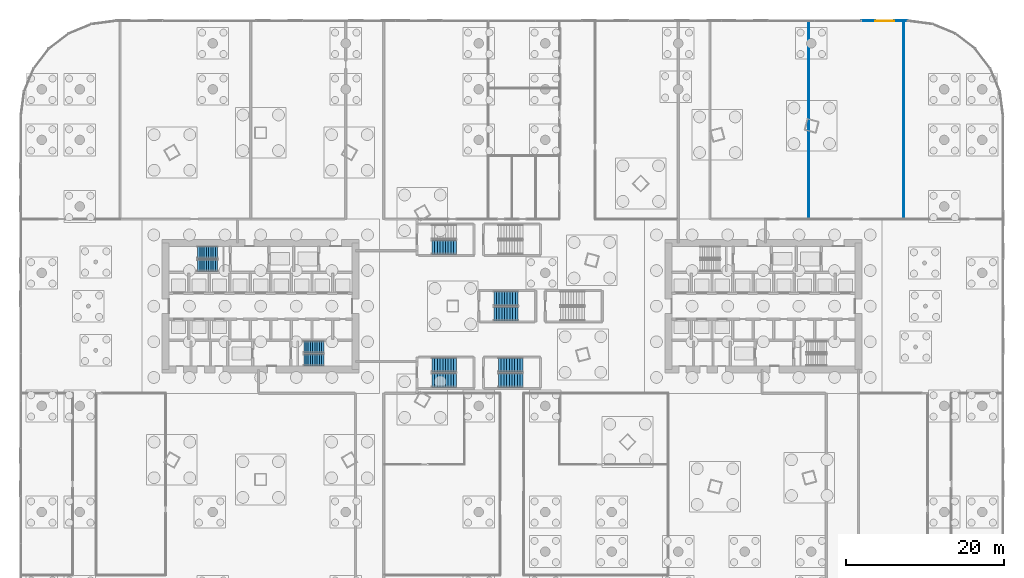
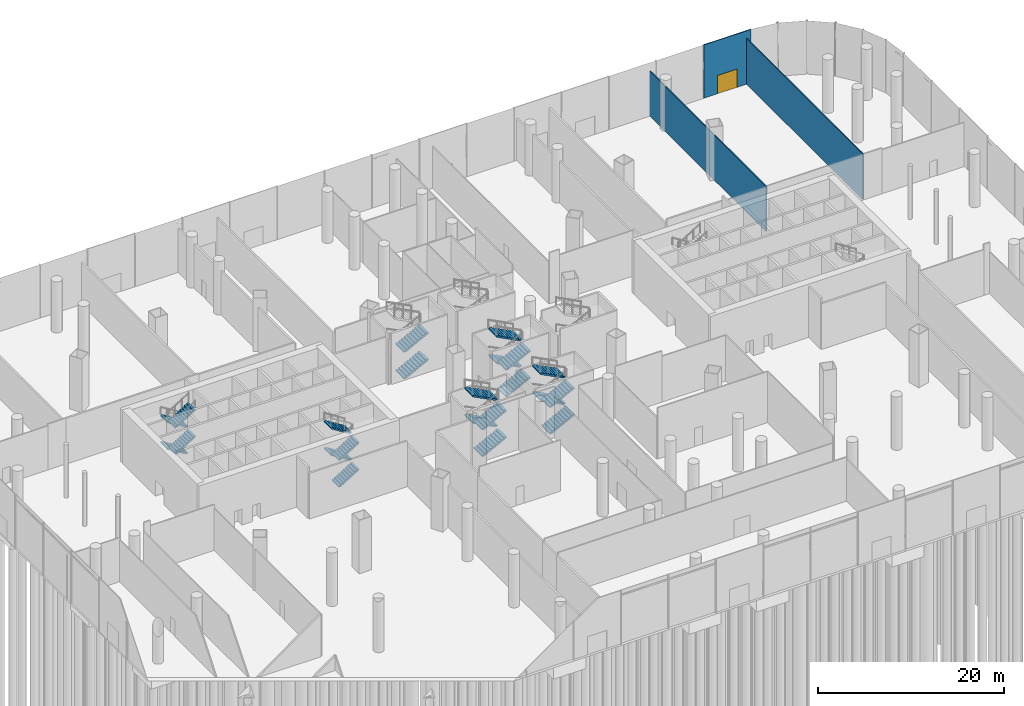
# One storey, part 35 of 41: 22 stair flights, 3 walls, 1 door, 1 opening, 6 elements without a shape of their own.
"""IFC4 building model written with IfcOpenShell, lengths in metres."""

from ifc_helpers import new_model, si_unit, direction, frame, frame_2d, origin, place, context, subcontext, project, spatial, polyline, rectangle, outline, extrude, material, layer, layer_set, type_object, element, fill, aggregate, save


model = new_model("IFC4")

# Units and contexts
model_context = context("Model", 3, precision=1e-05, world=origin(), true_north=direction((0.0, 1.0)))
body_context = subcontext(model_context, "Body", "Model", "MODEL_VIEW")
ifc_project = project(units=[si_unit("LENGTHUNIT", "METRE"), si_unit("AREAUNIT", "SQUARE_METRE"), si_unit("VOLUMEUNIT", "CUBIC_METRE"), si_unit("PLANEANGLEUNIT", "RADIAN"), si_unit("MASSUNIT", "GRAM", prefix="KILO")], contexts=[model_context])

# Site, building, storey
site_placement = place(None, origin())
site = spatial("IfcSite", under=ifc_project, at=site_placement, CompositionType="ELEMENT")
building_placement = place(site_placement, origin())
building = spatial("IfcBuilding", under=site, at=building_placement, Name="Rimbun Link Towers", CompositionType="ELEMENT")
storey_placement = place(building_placement, origin())
storey = spatial("IfcBuildingStorey", under=building, at=storey_placement, Name="L00", CompositionType="ELEMENT", Elevation=0.0)

# Wall, opening, door
ifc_material_1 = material(Name="Aluminium framed insulated infill panel", Category="aluminium")
ifc_layer_1 = layer(ifc_material_1, 0.10009765625)
ifc_layer_set_1 = layer_set([ifc_layer_1], Name="ED framed infill wall 100")
wall_type_1 = type_object("IfcWallType", Name="ED framed infill wall 100", PredefinedType="STANDARD", material=ifc_layer_set_1)
wall_1_placement = place(storey_placement, frame((44.1376953125, 36.050048828125, 0.0), z_axis=(0.0, 0.0, 1.0), x_axis=(1.0, 0.0, 0.0)))
wall_1 = element("IfcWall", 1, at=wall_1_placement, inside=storey, type_object=wall_type_1, Name="Framed door bay wall", PredefinedType="STANDARD", context=body_context, shape_type="SweptSolid", body=[
    extrude(rectangle(XDim=5.84228515625, YDim=0.10009765625, at=frame_2d((2.921142578125, 0.0))), origin(), (0.0, 0.0, 1.0), 7.0),
])
opening_placement = place(wall_1_placement, frame((1.72119140625, 0.0, 0.0)))
opening = element("IfcOpeningElement", 2, at=opening_placement, cuts=wall_1, Name="Opening ED04", PredefinedType="OPENING", context=body_context, shape_type="SweptSolid", body=[
    extrude(rectangle(XDim=2.39990234375, YDim=2.39990234375, at=frame_2d((1.199951171875, 1.199951171875))), frame((0.0, 0.06005859375, 0.0), z_axis=(0.0, -1.0, 0.0), x_axis=(1.0, 0.0, 0.0)), (0.0, 0.0, 1.0), 0.1201171875),
])
ifc_material_2 = material(Name="Aluminium framed glazed door, low-iron glass", Category="aluminium")
door_type = type_object("IfcDoorType", Name="ED entrance door double leaf 2400X2400", OperationType="DOUBLE_DOOR_SINGLE_SWING", PredefinedType="DOOR", material=ifc_material_2)
door_placement = place(opening_placement, origin())
door = element("IfcDoor", 3, at=door_placement, inside=storey, type_object=door_type, Name="Entrance door", OperationType="SINGLE_SWING_LEFT", OverallHeight=2.39990234375, OverallWidth=2.39990234375, PredefinedType="DOOR", context=body_context, shape_type="SweptSolid", body=[
    extrude(rectangle(XDim=2.39990234375, YDim=2.39990234375, at=frame_2d((1.199951171875, 1.199951171875))), frame((0.0, 0.02490234375, 0.0), z_axis=(0.0, -1.0, 0.0), x_axis=(1.0, 0.0, 0.0)), (0.0, 0.0, 1.0), 0.050048828125),
])
fill(opening, door)

# Walls
ifc_material_3 = material(Name="Gypsum board on steel studs", Category="steel")
ifc_layer_2 = layer(ifc_material_3, 0.125)
ifc_layer_set_2 = layer_set([ifc_layer_2], Name="Partition 125 board on studs")
wall_type_2 = type_object("IfcWallType", Name="Partition 125 board on studs", PredefinedType="PARTITIONING", material=ifc_layer_set_2)
wall_2_placement = place(storey_placement, frame((37.5, 11.0625, 0.0), z_axis=(0.0, 0.0, 1.0), x_axis=(0.0, 1.0, 0.0)))
element("IfcWall", 4, at=wall_2_placement, inside=storey, type_object=wall_type_2, Name="PD/PW/L00/124", PredefinedType="PARTITIONING", context=body_context, shape_type="SweptSolid", body=[
    extrude(rectangle(XDim=25.017578125, YDim=0.125, at=frame_2d((12.5087890625, 0.0))), origin(), (0.0, 0.0, 1.0), 5.91796875),
])
wall_3_placement = place(storey_placement, frame((49.5, 11.0625, 0.0), z_axis=(0.0, 0.0, 1.0), x_axis=(0.0, 1.0, 0.0)))
element("IfcWall", 5, at=wall_3_placement, inside=storey, type_object=wall_type_2, Name="PD/PW/L00/125", PredefinedType="PARTITIONING", context=body_context, shape_type="SweptSolid", body=[
    extrude(rectangle(XDim=25.017578125, YDim=0.125, at=frame_2d((12.5087890625, 0.0))), origin(), (0.0, 0.0, 1.0), 5.99609375),
])

# Stair, stair flights
ifc_material_4 = material(Name="Concrete C40/50", Category="concrete")
stair_type_1 = type_object("IfcStairType", Name="Exit stair 7000 rise", PredefinedType="HALF_TURN_STAIR", material=ifc_material_4)
stair_1_placement = place(storey_placement, origin())
stair_1 = element("IfcStair", 6, at=stair_1_placement, inside=storey, type_object=stair_type_1, Name="L00 EXIT STAIR A", PredefinedType="HALF_TURN_STAIR")
ifc_material_5 = material(Name="Concrete C40/50", Category="concrete")
stair_flight_type_1 = type_object("IfcStairFlightType", Name="Exit stair flight 7000 rise", PredefinedType="STRAIGHT", material=ifc_material_5)
stair_flight_1_placement = place(storey_placement, frame((-37.199951171875, 6.800048828125, 0.0), z_axis=(0.0, 0.0, 1.0), x_axis=(-1.0, 0.0, 0.0)))
stair_flight_1 = element("IfcStairFlight", 7, at=stair_flight_1_placement, type_object=stair_flight_type_1, Name="ST1 flight 1", NumberOfRisers=10, NumberOfTreads=9, PredefinedType="STRAIGHT", RiserHeight=0.175, TreadLength=0.28, context=body_context, shape_type="SweptSolid", body=[
    extrude(outline(polyline([(0.0, 0.0), (0.0, 0.175048828125), (0.280029296875, 0.175048828125), (0.280029296875, 0.35009765625), (0.56005859375, 0.35009765625), (0.56005859375, 0.52490234375), (0.840087890625, 0.52490234375), (0.840087890625, 0.699951171875), (1.1201171875, 0.699951171875), (1.1201171875, 0.875), (1.39990234375, 0.875), (1.39990234375, 1.050048828125), (1.679931640625, 1.050048828125), (1.679931640625, 1.22509765625), (1.9599609375, 1.22509765625), (1.9599609375, 1.39990234375), (2.239990234375, 1.39990234375), (2.239990234375, 1.574951171875), (2.52001953125, 1.574951171875), (2.52001953125, 1.75), (2.52001953125, 1.398193359375), (0.280029296875, 0.0), (0.0, 0.0)])), frame((0.0, 0.75, 0.0), z_axis=(0.0, -1.0, 0.0), x_axis=(1.0, 0.0, 0.0)), (0.0, 0.0, 1.0), 1.5),
])
stair_flight_2_placement = place(storey_placement, frame((-39.719970703125, 5.14990234375, 1.75), z_axis=(0.0, 0.0, 1.0), x_axis=(1.0, 0.0, 0.0)))
stair_flight_2 = element("IfcStairFlight", 8, at=stair_flight_2_placement, type_object=stair_flight_type_1, Name="ST1 flight 2", NumberOfRisers=10, NumberOfTreads=9, PredefinedType="STRAIGHT", RiserHeight=0.175, TreadLength=0.28, context=body_context, shape_type="SweptSolid", body=[
    extrude(outline(polyline([(0.0, 0.0), (0.0, 0.175048828125), (0.280029296875, 0.175048828125), (0.280029296875, 0.35009765625), (0.56005859375, 0.35009765625), (0.56005859375, 0.52490234375), (0.840087890625, 0.52490234375), (0.840087890625, 0.699951171875), (1.1201171875, 0.699951171875), (1.1201171875, 0.875), (1.39990234375, 0.875), (1.39990234375, 1.050048828125), (1.679931640625, 1.050048828125), (1.679931640625, 1.22509765625), (1.9599609375, 1.22509765625), (1.9599609375, 1.39990234375), (2.239990234375, 1.39990234375), (2.239990234375, 1.574951171875), (2.52001953125, 1.574951171875), (2.52001953125, 1.75), (2.52001953125, 1.398193359375), (0.280029296875, 0.0), (0.0, 0.0)])), frame((0.0, 0.75, 0.0), z_axis=(0.0, -1.0, 0.0), x_axis=(1.0, 0.0, 0.0)), (0.0, 0.0, 1.0), 1.5),
])
stair_flight_3_placement = place(storey_placement, frame((-37.199951171875, 6.800048828125, 3.5), z_axis=(0.0, 0.0, 1.0), x_axis=(-1.0, 0.0, 0.0)))
stair_flight_3 = element("IfcStairFlight", 9, at=stair_flight_3_placement, type_object=stair_flight_type_1, Name="ST1 flight 3", NumberOfRisers=10, NumberOfTreads=9, PredefinedType="STRAIGHT", RiserHeight=0.175, TreadLength=0.28, context=body_context, shape_type="SweptSolid", body=[
    extrude(outline(polyline([(0.0, 0.0), (0.0, 0.175048828125), (0.280029296875, 0.175048828125), (0.280029296875, 0.35009765625), (0.56005859375, 0.35009765625), (0.56005859375, 0.52490234375), (0.840087890625, 0.52490234375), (0.840087890625, 0.699951171875), (1.1201171875, 0.699951171875), (1.1201171875, 0.875), (1.39990234375, 0.875), (1.39990234375, 1.050048828125), (1.679931640625, 1.050048828125), (1.679931640625, 1.22509765625), (1.9599609375, 1.22509765625), (1.9599609375, 1.39990234375), (2.239990234375, 1.39990234375), (2.239990234375, 1.574951171875), (2.52001953125, 1.574951171875), (2.52001953125, 1.75), (2.52001953125, 1.398193359375), (0.280029296875, 0.0), (0.0, 0.0)])), frame((0.0, 0.75, 0.0), z_axis=(0.0, -1.0, 0.0), x_axis=(1.0, 0.0, 0.0)), (0.0, 0.0, 1.0), 1.5),
])
stair_flight_4_placement = place(storey_placement, frame((-39.719970703125, 5.14990234375, 5.25), z_axis=(0.0, 0.0, 1.0), x_axis=(1.0, 0.0, 0.0)))
stair_flight_4 = element("IfcStairFlight", 10, at=stair_flight_4_placement, type_object=stair_flight_type_1, Name="ST1 flight 4", NumberOfRisers=10, NumberOfTreads=9, PredefinedType="STRAIGHT", RiserHeight=0.175, TreadLength=0.28, context=body_context, shape_type="SweptSolid", body=[
    extrude(outline(polyline([(0.0, 0.0), (0.0, 0.175048828125), (0.280029296875, 0.175048828125), (0.280029296875, 0.35009765625), (0.56005859375, 0.35009765625), (0.56005859375, 0.52490234375), (0.840087890625, 0.52490234375), (0.840087890625, 0.699951171875), (1.1201171875, 0.699951171875), (1.1201171875, 0.875), (1.39990234375, 0.875), (1.39990234375, 1.050048828125), (1.679931640625, 1.050048828125), (1.679931640625, 1.22509765625), (1.9599609375, 1.22509765625), (1.9599609375, 1.39990234375), (2.239990234375, 1.39990234375), (2.239990234375, 1.574951171875), (2.52001953125, 1.574951171875), (2.52001953125, 1.75), (2.52001953125, 1.398193359375), (0.280029296875, 0.0), (0.0, 0.0)])), frame((0.0, 0.75, 0.0), z_axis=(0.0, -1.0, 0.0), x_axis=(1.0, 0.0, 0.0)), (0.0, 0.0, 1.0), 1.5),
])
aggregate(stair_1, [stair_flight_1, stair_flight_2, stair_flight_3, stair_flight_4])

stair_2_placement = place(storey_placement, origin())
stair_2 = element("IfcStair", 11, at=stair_2_placement, inside=storey, type_object=stair_type_1, Name="L00 EXIT STAIR B", PredefinedType="HALF_TURN_STAIR")
stair_flight_5_placement = place(storey_placement, frame((-26.300048828125, -6.800048828125, 0.0), z_axis=(0.0, 0.0, 1.0), x_axis=(1.0, 0.0, 0.0)))
stair_flight_5 = element("IfcStairFlight", 12, at=stair_flight_5_placement, type_object=stair_flight_type_1, Name="ST2 flight 1", NumberOfRisers=10, NumberOfTreads=9, PredefinedType="STRAIGHT", RiserHeight=0.175, TreadLength=0.28, context=body_context, shape_type="SweptSolid", body=[
    extrude(outline(polyline([(0.0, 0.0), (0.0, 0.175048828125), (0.280029296875, 0.175048828125), (0.280029296875, 0.35009765625), (0.56005859375, 0.35009765625), (0.56005859375, 0.52490234375), (0.840087890625, 0.52490234375), (0.840087890625, 0.699951171875), (1.1201171875, 0.699951171875), (1.1201171875, 0.875), (1.39990234375, 0.875), (1.39990234375, 1.050048828125), (1.679931640625, 1.050048828125), (1.679931640625, 1.22509765625), (1.9599609375, 1.22509765625), (1.9599609375, 1.39990234375), (2.239990234375, 1.39990234375), (2.239990234375, 1.574951171875), (2.52001953125, 1.574951171875), (2.52001953125, 1.75), (2.52001953125, 1.398193359375), (0.280029296875, 0.0), (0.0, 0.0)])), frame((0.0, 0.75, 0.0), z_axis=(0.0, -1.0, 0.0), x_axis=(1.0, 0.0, 0.0)), (0.0, 0.0, 1.0), 1.5),
])
stair_flight_6_placement = place(storey_placement, frame((-23.780029296875, -5.14990234375, 1.75), z_axis=(0.0, 0.0, 1.0), x_axis=(-1.0, 0.0, 0.0)))
stair_flight_6 = element("IfcStairFlight", 13, at=stair_flight_6_placement, type_object=stair_flight_type_1, Name="ST2 flight 2", NumberOfRisers=10, NumberOfTreads=9, PredefinedType="STRAIGHT", RiserHeight=0.175, TreadLength=0.28, context=body_context, shape_type="SweptSolid", body=[
    extrude(outline(polyline([(0.0, 0.0), (0.0, 0.175048828125), (0.280029296875, 0.175048828125), (0.280029296875, 0.35009765625), (0.56005859375, 0.35009765625), (0.56005859375, 0.52490234375), (0.840087890625, 0.52490234375), (0.840087890625, 0.699951171875), (1.1201171875, 0.699951171875), (1.1201171875, 0.875), (1.39990234375, 0.875), (1.39990234375, 1.050048828125), (1.679931640625, 1.050048828125), (1.679931640625, 1.22509765625), (1.9599609375, 1.22509765625), (1.9599609375, 1.39990234375), (2.239990234375, 1.39990234375), (2.239990234375, 1.574951171875), (2.52001953125, 1.574951171875), (2.52001953125, 1.75), (2.52001953125, 1.398193359375), (0.280029296875, 0.0), (0.0, 0.0)])), frame((0.0, 0.75, 0.0), z_axis=(0.0, -1.0, 0.0), x_axis=(1.0, 0.0, 0.0)), (0.0, 0.0, 1.0), 1.5),
])
stair_flight_7_placement = place(storey_placement, frame((-26.300048828125, -6.800048828125, 3.5), z_axis=(0.0, 0.0, 1.0), x_axis=(1.0, 0.0, 0.0)))
stair_flight_7 = element("IfcStairFlight", 14, at=stair_flight_7_placement, type_object=stair_flight_type_1, Name="ST2 flight 3", NumberOfRisers=10, NumberOfTreads=9, PredefinedType="STRAIGHT", RiserHeight=0.175, TreadLength=0.28, context=body_context, shape_type="SweptSolid", body=[
    extrude(outline(polyline([(0.0, 0.0), (0.0, 0.175048828125), (0.280029296875, 0.175048828125), (0.280029296875, 0.35009765625), (0.56005859375, 0.35009765625), (0.56005859375, 0.52490234375), (0.840087890625, 0.52490234375), (0.840087890625, 0.699951171875), (1.1201171875, 0.699951171875), (1.1201171875, 0.875), (1.39990234375, 0.875), (1.39990234375, 1.050048828125), (1.679931640625, 1.050048828125), (1.679931640625, 1.22509765625), (1.9599609375, 1.22509765625), (1.9599609375, 1.39990234375), (2.239990234375, 1.39990234375), (2.239990234375, 1.574951171875), (2.52001953125, 1.574951171875), (2.52001953125, 1.75), (2.52001953125, 1.398193359375), (0.280029296875, 0.0), (0.0, 0.0)])), frame((0.0, 0.75, 0.0), z_axis=(0.0, -1.0, 0.0), x_axis=(1.0, 0.0, 0.0)), (0.0, 0.0, 1.0), 1.5),
])
stair_flight_8_placement = place(storey_placement, frame((-23.780029296875, -5.14990234375, 5.25), z_axis=(0.0, 0.0, 1.0), x_axis=(-1.0, 0.0, 0.0)))
stair_flight_8 = element("IfcStairFlight", 15, at=stair_flight_8_placement, type_object=stair_flight_type_1, Name="ST2 flight 4", NumberOfRisers=10, NumberOfTreads=9, PredefinedType="STRAIGHT", RiserHeight=0.175, TreadLength=0.28, context=body_context, shape_type="SweptSolid", body=[
    extrude(outline(polyline([(0.0, 0.0), (0.0, 0.175048828125), (0.280029296875, 0.175048828125), (0.280029296875, 0.35009765625), (0.56005859375, 0.35009765625), (0.56005859375, 0.52490234375), (0.840087890625, 0.52490234375), (0.840087890625, 0.699951171875), (1.1201171875, 0.699951171875), (1.1201171875, 0.875), (1.39990234375, 0.875), (1.39990234375, 1.050048828125), (1.679931640625, 1.050048828125), (1.679931640625, 1.22509765625), (1.9599609375, 1.22509765625), (1.9599609375, 1.39990234375), (2.239990234375, 1.39990234375), (2.239990234375, 1.574951171875), (2.52001953125, 1.574951171875), (2.52001953125, 1.75), (2.52001953125, 1.398193359375), (0.280029296875, 0.0), (0.0, 0.0)])), frame((0.0, 0.75, 0.0), z_axis=(0.0, -1.0, 0.0), x_axis=(1.0, 0.0, 0.0)), (0.0, 0.0, 1.0), 1.5),
])
aggregate(stair_2, [stair_flight_5, stair_flight_6, stair_flight_7, stair_flight_8])

ifc_material_6 = material(Name="Concrete C40/50", Category="concrete")
stair_type_2 = type_object("IfcStairType", Name="Podium exit stair 1800", PredefinedType="HALF_TURN_STAIR", material=ifc_material_6)
stair_3_placement = place(storey_placement, origin())
stair_3 = element("IfcStair", 16, at=stair_3_placement, inside=storey, type_object=stair_type_2, Name="L00 PODIUM EXIT STAIR", PredefinedType="HALF_TURN_STAIR")
ifc_material_7 = material(Name="Concrete C40/50", Category="concrete")
stair_flight_type_2 = type_object("IfcStairFlightType", Name="Podium exit stair flight 1800", PredefinedType="STRAIGHT", material=ifc_material_7)
stair_flight_9_placement = place(storey_placement, frame((-10.10009765625, -9.375, 0.0), z_axis=(0.0, 0.0, 1.0), x_axis=(1.0, 0.0, 0.0)))
stair_flight_9 = element("IfcStairFlight", 17, at=stair_flight_9_placement, type_object=stair_flight_type_2, Name="PS1 flight 1", NumberOfRisers=10, NumberOfTreads=9, PredefinedType="STRAIGHT", RiserHeight=0.175, TreadLength=0.34, context=body_context, shape_type="SweptSolid", body=[
    extrude(outline(polyline([(0.0, 0.0), (0.0, 0.175048828125), (0.340087890625, 0.175048828125), (0.340087890625, 0.35009765625), (0.679931640625, 0.35009765625), (0.679931640625, 0.52490234375), (1.02001953125, 0.52490234375), (1.02001953125, 0.699951171875), (1.360107421875, 0.699951171875), (1.360107421875, 0.875), (1.699951171875, 0.875), (1.699951171875, 1.050048828125), (2.0400390625, 1.050048828125), (2.0400390625, 1.22509765625), (2.3798828125, 1.22509765625), (2.3798828125, 1.39990234375), (2.719970703125, 1.39990234375), (2.719970703125, 1.574951171875), (3.06005859375, 1.574951171875), (3.06005859375, 1.75), (3.06005859375, 1.406494140625), (0.340087890625, 0.0), (0.0, 0.0)])), frame((0.0, 0.89990234375, 0.0), z_axis=(0.0, -1.0, 0.0), x_axis=(1.0, 0.0, 0.0)), (0.0, 0.0, 1.0), 1.800048828125),
])
stair_flight_10_placement = place(storey_placement, frame((-7.0400390625, -7.425048828125, 1.75), z_axis=(0.0, 0.0, 1.0), x_axis=(-1.0, 0.0, 0.0)))
stair_flight_10 = element("IfcStairFlight", 18, at=stair_flight_10_placement, type_object=stair_flight_type_2, Name="PS1 flight 2", NumberOfRisers=10, NumberOfTreads=9, PredefinedType="STRAIGHT", RiserHeight=0.175, TreadLength=0.34, context=body_context, shape_type="SweptSolid", body=[
    extrude(outline(polyline([(0.0, 0.0), (0.0, 0.175048828125), (0.340087890625, 0.175048828125), (0.340087890625, 0.35009765625), (0.679931640625, 0.35009765625), (0.679931640625, 0.52490234375), (1.02001953125, 0.52490234375), (1.02001953125, 0.699951171875), (1.360107421875, 0.699951171875), (1.360107421875, 0.875), (1.699951171875, 0.875), (1.699951171875, 1.050048828125), (2.0400390625, 1.050048828125), (2.0400390625, 1.22509765625), (2.3798828125, 1.22509765625), (2.3798828125, 1.39990234375), (2.719970703125, 1.39990234375), (2.719970703125, 1.574951171875), (3.06005859375, 1.574951171875), (3.06005859375, 1.75), (3.06005859375, 1.406494140625), (0.340087890625, 0.0), (0.0, 0.0)])), frame((0.0, 0.89990234375, 0.0), z_axis=(0.0, -1.0, 0.0), x_axis=(1.0, 0.0, 0.0)), (0.0, 0.0, 1.0), 1.800048828125),
])
stair_flight_11_placement = place(storey_placement, frame((-10.10009765625, -9.375, 3.5), z_axis=(0.0, 0.0, 1.0), x_axis=(1.0, 0.0, 0.0)))
stair_flight_11 = element("IfcStairFlight", 19, at=stair_flight_11_placement, type_object=stair_flight_type_2, Name="PS1 flight 3", NumberOfRisers=10, NumberOfTreads=9, PredefinedType="STRAIGHT", RiserHeight=0.175, TreadLength=0.34, context=body_context, shape_type="SweptSolid", body=[
    extrude(outline(polyline([(0.0, 0.0), (0.0, 0.175048828125), (0.340087890625, 0.175048828125), (0.340087890625, 0.35009765625), (0.679931640625, 0.35009765625), (0.679931640625, 0.52490234375), (1.02001953125, 0.52490234375), (1.02001953125, 0.699951171875), (1.360107421875, 0.699951171875), (1.360107421875, 0.875), (1.699951171875, 0.875), (1.699951171875, 1.050048828125), (2.0400390625, 1.050048828125), (2.0400390625, 1.22509765625), (2.3798828125, 1.22509765625), (2.3798828125, 1.39990234375), (2.719970703125, 1.39990234375), (2.719970703125, 1.574951171875), (3.06005859375, 1.574951171875), (3.06005859375, 1.75), (3.06005859375, 1.406494140625), (0.340087890625, 0.0), (0.0, 0.0)])), frame((0.0, 0.89990234375, 0.0), z_axis=(0.0, -1.0, 0.0), x_axis=(1.0, 0.0, 0.0)), (0.0, 0.0, 1.0), 1.800048828125),
])
stair_flight_12_placement = place(storey_placement, frame((-7.0400390625, -7.425048828125, 5.25), z_axis=(0.0, 0.0, 1.0), x_axis=(-1.0, 0.0, 0.0)))
stair_flight_12 = element("IfcStairFlight", 20, at=stair_flight_12_placement, type_object=stair_flight_type_2, Name="PS1 flight 4", NumberOfRisers=10, NumberOfTreads=9, PredefinedType="STRAIGHT", RiserHeight=0.175, TreadLength=0.34, context=body_context, shape_type="SweptSolid", body=[
    extrude(outline(polyline([(0.0, 0.0), (0.0, 0.175048828125), (0.340087890625, 0.175048828125), (0.340087890625, 0.35009765625), (0.679931640625, 0.35009765625), (0.679931640625, 0.52490234375), (1.02001953125, 0.52490234375), (1.02001953125, 0.699951171875), (1.360107421875, 0.699951171875), (1.360107421875, 0.875), (1.699951171875, 0.875), (1.699951171875, 1.050048828125), (2.0400390625, 1.050048828125), (2.0400390625, 1.22509765625), (2.3798828125, 1.22509765625), (2.3798828125, 1.39990234375), (2.719970703125, 1.39990234375), (2.719970703125, 1.574951171875), (3.06005859375, 1.574951171875), (3.06005859375, 1.75), (3.06005859375, 1.406494140625), (0.340087890625, 0.0), (0.0, 0.0)])), frame((0.0, 0.89990234375, 0.0), z_axis=(0.0, -1.0, 0.0), x_axis=(1.0, 0.0, 0.0)), (0.0, 0.0, 1.0), 1.800048828125),
])
aggregate(stair_3, [stair_flight_9, stair_flight_10, stair_flight_11, stair_flight_12])

stair_4_placement = place(storey_placement, origin())
stair_4 = element("IfcStair", 21, at=stair_4_placement, inside=storey, type_object=stair_type_2, Name="L00 PODIUM EXIT STAIR", PredefinedType="HALF_TURN_STAIR")
stair_flight_13_placement = place(storey_placement, frame((-1.699951171875, -9.375, 0.0), z_axis=(0.0, 0.0, 1.0), x_axis=(1.0, 0.0, 0.0)))
stair_flight_13 = element("IfcStairFlight", 22, at=stair_flight_13_placement, type_object=stair_flight_type_2, Name="PS2 flight 1", NumberOfRisers=10, NumberOfTreads=9, PredefinedType="STRAIGHT", RiserHeight=0.175, TreadLength=0.34, context=body_context, shape_type="SweptSolid", body=[
    extrude(outline(polyline([(0.0, 0.0), (0.0, 0.175048828125), (0.340087890625, 0.175048828125), (0.340087890625, 0.35009765625), (0.679931640625, 0.35009765625), (0.679931640625, 0.52490234375), (1.02001953125, 0.52490234375), (1.02001953125, 0.699951171875), (1.360107421875, 0.699951171875), (1.360107421875, 0.875), (1.699951171875, 0.875), (1.699951171875, 1.050048828125), (2.0400390625, 1.050048828125), (2.0400390625, 1.22509765625), (2.3798828125, 1.22509765625), (2.3798828125, 1.39990234375), (2.719970703125, 1.39990234375), (2.719970703125, 1.574951171875), (3.06005859375, 1.574951171875), (3.06005859375, 1.75), (3.06005859375, 1.406494140625), (0.340087890625, 0.0), (0.0, 0.0)])), frame((0.0, 0.89990234375, 0.0), z_axis=(0.0, -1.0, 0.0), x_axis=(1.0, 0.0, 0.0)), (0.0, 0.0, 1.0), 1.800048828125),
])
stair_flight_14_placement = place(storey_placement, frame((1.360107421875, -7.425048828125, 1.75), z_axis=(0.0, 0.0, 1.0), x_axis=(-1.0, 0.0, 0.0)))
stair_flight_14 = element("IfcStairFlight", 23, at=stair_flight_14_placement, type_object=stair_flight_type_2, Name="PS2 flight 2", NumberOfRisers=10, NumberOfTreads=9, PredefinedType="STRAIGHT", RiserHeight=0.175, TreadLength=0.34, context=body_context, shape_type="SweptSolid", body=[
    extrude(outline(polyline([(0.0, 0.0), (0.0, 0.175048828125), (0.340087890625, 0.175048828125), (0.340087890625, 0.35009765625), (0.679931640625, 0.35009765625), (0.679931640625, 0.52490234375), (1.02001953125, 0.52490234375), (1.02001953125, 0.699951171875), (1.360107421875, 0.699951171875), (1.360107421875, 0.875), (1.699951171875, 0.875), (1.699951171875, 1.050048828125), (2.0400390625, 1.050048828125), (2.0400390625, 1.22509765625), (2.3798828125, 1.22509765625), (2.3798828125, 1.39990234375), (2.719970703125, 1.39990234375), (2.719970703125, 1.574951171875), (3.06005859375, 1.574951171875), (3.06005859375, 1.75), (3.06005859375, 1.406494140625), (0.340087890625, 0.0), (0.0, 0.0)])), frame((0.0, 0.89990234375, 0.0), z_axis=(0.0, -1.0, 0.0), x_axis=(1.0, 0.0, 0.0)), (0.0, 0.0, 1.0), 1.800048828125),
])
stair_flight_15_placement = place(storey_placement, frame((-1.699951171875, -9.375, 3.5), z_axis=(0.0, 0.0, 1.0), x_axis=(1.0, 0.0, 0.0)))
stair_flight_15 = element("IfcStairFlight", 24, at=stair_flight_15_placement, type_object=stair_flight_type_2, Name="PS2 flight 3", NumberOfRisers=10, NumberOfTreads=9, PredefinedType="STRAIGHT", RiserHeight=0.175, TreadLength=0.34, context=body_context, shape_type="SweptSolid", body=[
    extrude(outline(polyline([(0.0, 0.0), (0.0, 0.175048828125), (0.340087890625, 0.175048828125), (0.340087890625, 0.35009765625), (0.679931640625, 0.35009765625), (0.679931640625, 0.52490234375), (1.02001953125, 0.52490234375), (1.02001953125, 0.699951171875), (1.360107421875, 0.699951171875), (1.360107421875, 0.875), (1.699951171875, 0.875), (1.699951171875, 1.050048828125), (2.0400390625, 1.050048828125), (2.0400390625, 1.22509765625), (2.3798828125, 1.22509765625), (2.3798828125, 1.39990234375), (2.719970703125, 1.39990234375), (2.719970703125, 1.574951171875), (3.06005859375, 1.574951171875), (3.06005859375, 1.75), (3.06005859375, 1.406494140625), (0.340087890625, 0.0), (0.0, 0.0)])), frame((0.0, 0.89990234375, 0.0), z_axis=(0.0, -1.0, 0.0), x_axis=(1.0, 0.0, 0.0)), (0.0, 0.0, 1.0), 1.800048828125),
])
stair_flight_16_placement = place(storey_placement, frame((1.360107421875, -7.425048828125, 5.25), z_axis=(0.0, 0.0, 1.0), x_axis=(-1.0, 0.0, 0.0)))
stair_flight_16 = element("IfcStairFlight", 25, at=stair_flight_16_placement, type_object=stair_flight_type_2, Name="PS2 flight 4", NumberOfRisers=10, NumberOfTreads=9, PredefinedType="STRAIGHT", RiserHeight=0.175, TreadLength=0.34, context=body_context, shape_type="SweptSolid", body=[
    extrude(outline(polyline([(0.0, 0.0), (0.0, 0.175048828125), (0.340087890625, 0.175048828125), (0.340087890625, 0.35009765625), (0.679931640625, 0.35009765625), (0.679931640625, 0.52490234375), (1.02001953125, 0.52490234375), (1.02001953125, 0.699951171875), (1.360107421875, 0.699951171875), (1.360107421875, 0.875), (1.699951171875, 0.875), (1.699951171875, 1.050048828125), (2.0400390625, 1.050048828125), (2.0400390625, 1.22509765625), (2.3798828125, 1.22509765625), (2.3798828125, 1.39990234375), (2.719970703125, 1.39990234375), (2.719970703125, 1.574951171875), (3.06005859375, 1.574951171875), (3.06005859375, 1.75), (3.06005859375, 1.406494140625), (0.340087890625, 0.0), (0.0, 0.0)])), frame((0.0, 0.89990234375, 0.0), z_axis=(0.0, -1.0, 0.0), x_axis=(1.0, 0.0, 0.0)), (0.0, 0.0, 1.0), 1.800048828125),
])
aggregate(stair_4, [stair_flight_13, stair_flight_14, stair_flight_15, stair_flight_16])

stair_5_placement = place(storey_placement, origin())
stair_5 = element("IfcStair", 26, at=stair_5_placement, inside=storey, type_object=stair_type_2, Name="L00 PODIUM EXIT STAIR", PredefinedType="HALF_TURN_STAIR")
stair_flight_17_placement = place(storey_placement, frame((-10.10009765625, 7.425048828125, 0.0), z_axis=(0.0, 0.0, 1.0), x_axis=(1.0, 0.0, 0.0)))
stair_flight_17 = element("IfcStairFlight", 27, at=stair_flight_17_placement, type_object=stair_flight_type_2, Name="PS3 flight 1", NumberOfRisers=10, NumberOfTreads=9, PredefinedType="STRAIGHT", RiserHeight=0.175, TreadLength=0.34, context=body_context, shape_type="SweptSolid", body=[
    extrude(outline(polyline([(0.0, 0.0), (0.0, 0.175048828125), (0.340087890625, 0.175048828125), (0.340087890625, 0.35009765625), (0.679931640625, 0.35009765625), (0.679931640625, 0.52490234375), (1.02001953125, 0.52490234375), (1.02001953125, 0.699951171875), (1.360107421875, 0.699951171875), (1.360107421875, 0.875), (1.699951171875, 0.875), (1.699951171875, 1.050048828125), (2.0400390625, 1.050048828125), (2.0400390625, 1.22509765625), (2.3798828125, 1.22509765625), (2.3798828125, 1.39990234375), (2.719970703125, 1.39990234375), (2.719970703125, 1.574951171875), (3.06005859375, 1.574951171875), (3.06005859375, 1.75), (3.06005859375, 1.406494140625), (0.340087890625, 0.0), (0.0, 0.0)])), frame((0.0, 0.89990234375, 0.0), z_axis=(0.0, -1.0, 0.0), x_axis=(1.0, 0.0, 0.0)), (0.0, 0.0, 1.0), 1.800048828125),
])
stair_flight_18_placement = place(storey_placement, frame((-10.10009765625, 7.425048828125, 3.5), z_axis=(0.0, 0.0, 1.0), x_axis=(1.0, 0.0, 0.0)))
stair_flight_18 = element("IfcStairFlight", 28, at=stair_flight_18_placement, type_object=stair_flight_type_2, Name="PS3 flight 3", NumberOfRisers=10, NumberOfTreads=9, PredefinedType="STRAIGHT", RiserHeight=0.175, TreadLength=0.34, context=body_context, shape_type="SweptSolid", body=[
    extrude(outline(polyline([(0.0, 0.0), (0.0, 0.175048828125), (0.340087890625, 0.175048828125), (0.340087890625, 0.35009765625), (0.679931640625, 0.35009765625), (0.679931640625, 0.52490234375), (1.02001953125, 0.52490234375), (1.02001953125, 0.699951171875), (1.360107421875, 0.699951171875), (1.360107421875, 0.875), (1.699951171875, 0.875), (1.699951171875, 1.050048828125), (2.0400390625, 1.050048828125), (2.0400390625, 1.22509765625), (2.3798828125, 1.22509765625), (2.3798828125, 1.39990234375), (2.719970703125, 1.39990234375), (2.719970703125, 1.574951171875), (3.06005859375, 1.574951171875), (3.06005859375, 1.75), (3.06005859375, 1.406494140625), (0.340087890625, 0.0), (0.0, 0.0)])), frame((0.0, 0.89990234375, 0.0), z_axis=(0.0, -1.0, 0.0), x_axis=(1.0, 0.0, 0.0)), (0.0, 0.0, 1.0), 1.800048828125),
])
aggregate(stair_5, [stair_flight_17, stair_flight_18])

stair_6_placement = place(storey_placement, origin())
stair_6 = element("IfcStair", 29, at=stair_6_placement, inside=storey, type_object=stair_type_2, Name="L00 PODIUM EXIT STAIR", PredefinedType="HALF_TURN_STAIR")
stair_flight_19_placement = place(storey_placement, frame((-2.300048828125, -0.97509765625, 0.0), z_axis=(0.0, 0.0, 1.0), x_axis=(1.0, 0.0, 0.0)))
stair_flight_19 = element("IfcStairFlight", 30, at=stair_flight_19_placement, type_object=stair_flight_type_2, Name="PS6 flight 1", NumberOfRisers=10, NumberOfTreads=9, PredefinedType="STRAIGHT", RiserHeight=0.175, TreadLength=0.34, context=body_context, shape_type="SweptSolid", body=[
    extrude(outline(polyline([(0.0, 0.0), (0.0, 0.175048828125), (0.340087890625, 0.175048828125), (0.340087890625, 0.35009765625), (0.679931640625, 0.35009765625), (0.679931640625, 0.52490234375), (1.02001953125, 0.52490234375), (1.02001953125, 0.699951171875), (1.360107421875, 0.699951171875), (1.360107421875, 0.875), (1.699951171875, 0.875), (1.699951171875, 1.050048828125), (2.0400390625, 1.050048828125), (2.0400390625, 1.22509765625), (2.3798828125, 1.22509765625), (2.3798828125, 1.39990234375), (2.719970703125, 1.39990234375), (2.719970703125, 1.574951171875), (3.06005859375, 1.574951171875), (3.06005859375, 1.75), (3.06005859375, 1.406494140625), (0.340087890625, 0.0), (0.0, 0.0)])), frame((0.0, 0.89990234375, 0.0), z_axis=(0.0, -1.0, 0.0), x_axis=(1.0, 0.0, 0.0)), (0.0, 0.0, 1.0), 1.800048828125),
])
stair_flight_20_placement = place(storey_placement, frame((0.760009765625, 0.97509765625, 1.75), z_axis=(0.0, 0.0, 1.0), x_axis=(-1.0, 0.0, 0.0)))
stair_flight_20 = element("IfcStairFlight", 31, at=stair_flight_20_placement, type_object=stair_flight_type_2, Name="PS6 flight 2", NumberOfRisers=10, NumberOfTreads=9, PredefinedType="STRAIGHT", RiserHeight=0.175, TreadLength=0.34, context=body_context, shape_type="SweptSolid", body=[
    extrude(outline(polyline([(0.0, 0.0), (0.0, 0.175048828125), (0.340087890625, 0.175048828125), (0.340087890625, 0.35009765625), (0.679931640625, 0.35009765625), (0.679931640625, 0.52490234375), (1.02001953125, 0.52490234375), (1.02001953125, 0.699951171875), (1.360107421875, 0.699951171875), (1.360107421875, 0.875), (1.699951171875, 0.875), (1.699951171875, 1.050048828125), (2.0400390625, 1.050048828125), (2.0400390625, 1.22509765625), (2.3798828125, 1.22509765625), (2.3798828125, 1.39990234375), (2.719970703125, 1.39990234375), (2.719970703125, 1.574951171875), (3.06005859375, 1.574951171875), (3.06005859375, 1.75), (3.06005859375, 1.406494140625), (0.340087890625, 0.0), (0.0, 0.0)])), frame((0.0, 0.89990234375, 0.0), z_axis=(0.0, -1.0, 0.0), x_axis=(1.0, 0.0, 0.0)), (0.0, 0.0, 1.0), 1.800048828125),
])
stair_flight_21_placement = place(storey_placement, frame((-2.300048828125, -0.97509765625, 3.5), z_axis=(0.0, 0.0, 1.0), x_axis=(1.0, 0.0, 0.0)))
stair_flight_21 = element("IfcStairFlight", 32, at=stair_flight_21_placement, type_object=stair_flight_type_2, Name="PS6 flight 3", NumberOfRisers=10, NumberOfTreads=9, PredefinedType="STRAIGHT", RiserHeight=0.175, TreadLength=0.34, context=body_context, shape_type="SweptSolid", body=[
    extrude(outline(polyline([(0.0, 0.0), (0.0, 0.175048828125), (0.340087890625, 0.175048828125), (0.340087890625, 0.35009765625), (0.679931640625, 0.35009765625), (0.679931640625, 0.52490234375), (1.02001953125, 0.52490234375), (1.02001953125, 0.699951171875), (1.360107421875, 0.699951171875), (1.360107421875, 0.875), (1.699951171875, 0.875), (1.699951171875, 1.050048828125), (2.0400390625, 1.050048828125), (2.0400390625, 1.22509765625), (2.3798828125, 1.22509765625), (2.3798828125, 1.39990234375), (2.719970703125, 1.39990234375), (2.719970703125, 1.574951171875), (3.06005859375, 1.574951171875), (3.06005859375, 1.75), (3.06005859375, 1.406494140625), (0.340087890625, 0.0), (0.0, 0.0)])), frame((0.0, 0.89990234375, 0.0), z_axis=(0.0, -1.0, 0.0), x_axis=(1.0, 0.0, 0.0)), (0.0, 0.0, 1.0), 1.800048828125),
])
stair_flight_22_placement = place(storey_placement, frame((0.760009765625, 0.97509765625, 5.25), z_axis=(0.0, 0.0, 1.0), x_axis=(-1.0, 0.0, 0.0)))
stair_flight_22 = element("IfcStairFlight", 33, at=stair_flight_22_placement, type_object=stair_flight_type_2, Name="PS6 flight 4", NumberOfRisers=10, NumberOfTreads=9, PredefinedType="STRAIGHT", RiserHeight=0.175, TreadLength=0.34, context=body_context, shape_type="SweptSolid", body=[
    extrude(outline(polyline([(0.0, 0.0), (0.0, 0.175048828125), (0.340087890625, 0.175048828125), (0.340087890625, 0.35009765625), (0.679931640625, 0.35009765625), (0.679931640625, 0.52490234375), (1.02001953125, 0.52490234375), (1.02001953125, 0.699951171875), (1.360107421875, 0.699951171875), (1.360107421875, 0.875), (1.699951171875, 0.875), (1.699951171875, 1.050048828125), (2.0400390625, 1.050048828125), (2.0400390625, 1.22509765625), (2.3798828125, 1.22509765625), (2.3798828125, 1.39990234375), (2.719970703125, 1.39990234375), (2.719970703125, 1.574951171875), (3.06005859375, 1.574951171875), (3.06005859375, 1.75), (3.06005859375, 1.406494140625), (0.340087890625, 0.0), (0.0, 0.0)])), frame((0.0, 0.89990234375, 0.0), z_axis=(0.0, -1.0, 0.0), x_axis=(1.0, 0.0, 0.0)), (0.0, 0.0, 1.0), 1.800048828125),
])
aggregate(stair_6, [stair_flight_19, stair_flight_20, stair_flight_21, stair_flight_22])

save(model, "model.ifc")
